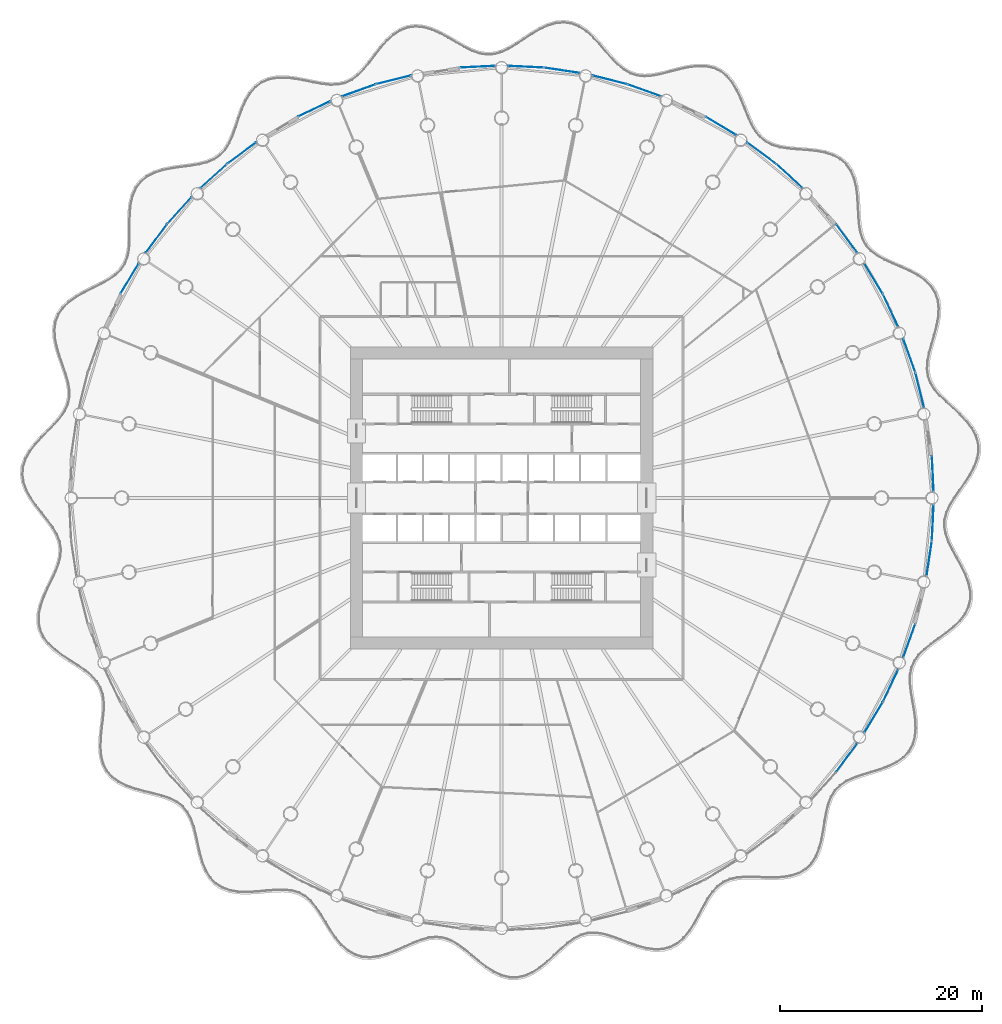
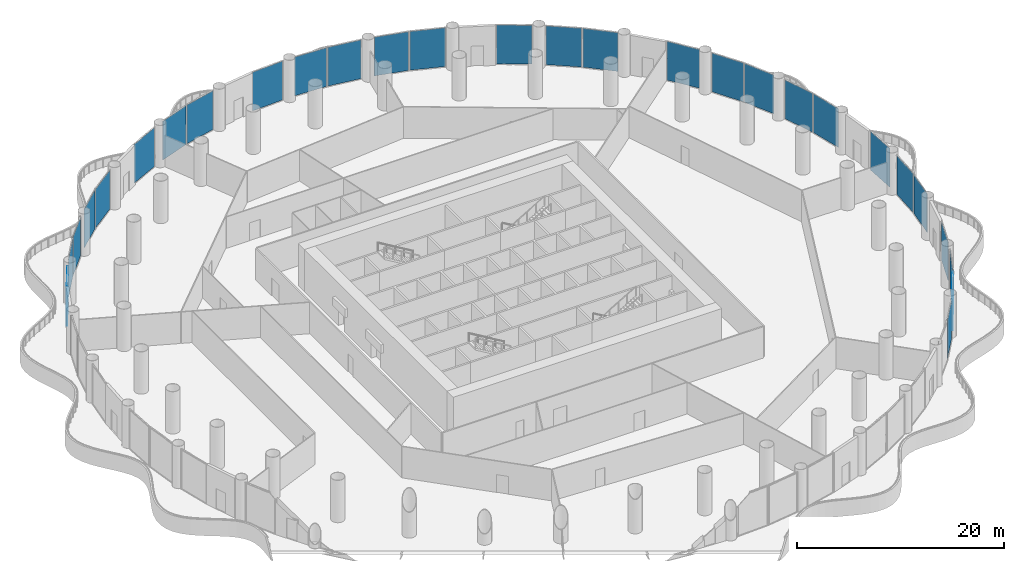
# One storey, part 21 of 35: 28 plates, 28 elements without a shape of their own.
"""IFC4 building model written with IfcOpenShell, lengths in metres."""

from ifc_helpers import new_model, si_unit, direction, frame, origin, origin_2d, place, context, subcontext, project, spatial, rectangle, extrude, material, layer, layer_set, type_object, element, aggregate, save


model = new_model("IFC4")

# Units and contexts
model_context = context("Model", 3, precision=1e-05, world=origin(), true_north=direction((0.0, 1.0)))
body_context = subcontext(model_context, "Body", "Model", "MODEL_VIEW")
ifc_project = project(units=[si_unit("LENGTHUNIT", "METRE"), si_unit("AREAUNIT", "SQUARE_METRE"), si_unit("VOLUMEUNIT", "CUBIC_METRE"), si_unit("PLANEANGLEUNIT", "RADIAN"), si_unit("MASSUNIT", "GRAM", prefix="KILO")], contexts=[model_context])

# Site, building, storey
site_placement = place(None, origin())
site = spatial("IfcSite", under=ifc_project, at=site_placement, CompositionType="ELEMENT")
building_placement = place(site_placement, origin())
building = spatial("IfcBuilding", under=site, at=building_placement, Name="Corvane Civic Tower", CompositionType="ELEMENT")
storey_placement = place(building_placement, frame((0.0, 0.0, 27.0)))
storey = spatial("IfcBuildingStorey", under=building, at=storey_placement, Name="L05", CompositionType="ELEMENT", Elevation=27.0)

# Curtain wall, plate
ifc_material_1 = material(Name="Aluminium and glass", Category="aluminium")
curtain_wall_type = type_object("IfcCurtainWallType", Name="PODIUM-CW-P-RUN", PredefinedType="NOTDEFINED", material=ifc_material_1)
curtain_wall_1_placement = place(storey_placement, origin())
curtain_wall_1 = element("IfcCurtainWall", 1, at=curtain_wall_1_placement, inside=storey, type_object=curtain_wall_type, Name="PODI run L05-drum-01A", PredefinedType="NOTDEFINED")
ifc_material_2 = material(Name="Glass tinted low-e laminated", Category="glass")
ifc_layer = layer(ifc_material_2, 0.031982421875)
ifc_layer_set = layer_set([ifc_layer], Name="Glass tinted low-e laminated")
plate_type = type_object("IfcPlateType", Name="PODIUM-CWP-PANEL-IGU32", PredefinedType="CURTAIN_PANEL", material=ifc_layer_set)
plate_1_placement = place(storey_placement, frame((2.402587890625, 42.7919921875, 0.06005859375), z_axis=(0.0, 0.0, 1.0), x_axis=(0.998796316803, -0.04905015332, 0.0)))
plate_1 = element("IfcPlate", 2, at=plate_1_placement, type_object=plate_type, Name="CW-P panel 1.1", PredefinedType="CURTAIN_PANEL", context=body_context, shape_type="SweptSolid", body=[
    extrude(rectangle(XDim=3.4599609375, YDim=0.031982421875, at=origin_2d()), origin(), (0.0, 0.0, 1.0), 4.580078125),
])
aggregate(curtain_wall_1, [plate_1])

curtain_wall_2_placement = place(storey_placement, origin())
curtain_wall_2 = element("IfcCurtainWall", 3, at=curtain_wall_2_placement, inside=storey, type_object=curtain_wall_type, Name="PODI run L05-drum-01B", PredefinedType="NOTDEFINED")
plate_2_placement = place(storey_placement, frame((5.991943359375, 42.4384765625, 0.06005859375), z_axis=(0.0, 0.0, 1.0), x_axis=(0.989178850608, -0.146714694252, 0.0)))
plate_2 = element("IfcPlate", 4, at=plate_2_placement, type_object=plate_type, Name="CW-P panel 1.1", PredefinedType="CURTAIN_PANEL", context=body_context, shape_type="SweptSolid", body=[
    extrude(rectangle(XDim=3.459716796875, YDim=0.031982421875, at=origin_2d()), origin(), (0.0, 0.0, 1.0), 4.580078125),
])
aggregate(curtain_wall_2, [plate_2])

curtain_wall_3_placement = place(storey_placement, origin())
curtain_wall_3 = element("IfcCurtainWall", 5, at=curtain_wall_3_placement, inside=storey, type_object=curtain_wall_type, Name="PODI run L05-drum-02A", PredefinedType="NOTDEFINED")
plate_3_placement = place(storey_placement, frame((10.70458984375, 41.5009765625, 0.06005859375), z_axis=(0.0, 0.0, 1.0), x_axis=(0.970024070659, -0.243008852393, 0.0)))
plate_3 = element("IfcPlate", 6, at=plate_3_placement, type_object=plate_type, Name="CW-P panel 1.1", PredefinedType="CURTAIN_PANEL", context=body_context, shape_type="SweptSolid", body=[
    extrude(rectangle(XDim=3.459716796875, YDim=0.031982421875, at=origin_2d()), origin(), (0.0, 0.0, 1.0), 4.580078125),
])
aggregate(curtain_wall_3, [plate_3])

curtain_wall_4_placement = place(storey_placement, origin())
curtain_wall_4 = element("IfcCurtainWall", 7, at=curtain_wall_4_placement, inside=storey, type_object=curtain_wall_type, Name="PODI run L05-drum-02B", PredefinedType="NOTDEFINED")
plate_4_placement = place(storey_placement, frame((14.156005859375, 40.453857421875, 0.06005859375), z_axis=(0.0, 0.0, 1.0), x_axis=(0.941533802561, -0.336918534123, 0.0)))
plate_4 = element("IfcPlate", 8, at=plate_4_placement, type_object=plate_type, Name="CW-P panel 1.1", PredefinedType="CURTAIN_PANEL", context=body_context, shape_type="SweptSolid", body=[
    extrude(rectangle(XDim=3.459716796875, YDim=0.031982421875, at=origin_2d()), origin(), (0.0, 0.0, 1.0), 4.580078125),
])
aggregate(curtain_wall_4, [plate_4])

curtain_wall_5_placement = place(storey_placement, origin())
curtain_wall_5 = element("IfcCurtainWall", 9, at=curtain_wall_5_placement, inside=storey, type_object=curtain_wall_type, Name="PODI run L05-drum-03B", PredefinedType="NOTDEFINED")
plate_5_placement = place(storey_placement, frame((21.776123046875, 36.914794921875, 0.06005859375), z_axis=(0.0, 0.0, 1.0), x_axis=(0.857719609779, -0.514117759857, 0.0)))
plate_5 = element("IfcPlate", 10, at=plate_5_placement, type_object=plate_type, Name="CW-P panel 1.1", PredefinedType="CURTAIN_PANEL", context=body_context, shape_type="SweptSolid", body=[
    extrude(rectangle(XDim=3.459716796875, YDim=0.031982421875, at=origin_2d()), origin(), (0.0, 0.0, 1.0), 4.580078125),
])
aggregate(curtain_wall_5, [plate_5])

curtain_wall_6_placement = place(storey_placement, origin())
curtain_wall_6 = element("IfcCurtainWall", 11, at=curtain_wall_6_placement, inside=storey, type_object=curtain_wall_type, Name="PODI run L05-drum-04A", PredefinedType="NOTDEFINED")
plate_6_placement = place(storey_placement, frame((25.771484375, 34.245361328125, 0.06005859375), z_axis=(0.0, 0.0, 1.0), x_axis=(0.803203229747, -0.595705104665, 0.0)))
plate_6 = element("IfcPlate", 12, at=plate_6_placement, type_object=plate_type, Name="CW-P panel 1.1", PredefinedType="CURTAIN_PANEL", context=body_context, shape_type="SweptSolid", body=[
    extrude(rectangle(XDim=3.459716796875, YDim=0.031982421875, at=origin_2d()), origin(), (0.0, 0.0, 1.0), 4.580078125),
])
aggregate(curtain_wall_6, [plate_6])

curtain_wall_7_placement = place(storey_placement, origin())
curtain_wall_7 = element("IfcCurtainWall", 13, at=curtain_wall_7_placement, inside=storey, type_object=curtain_wall_type, Name="PODI run L05-drum-04B", PredefinedType="NOTDEFINED")
plate_7_placement = place(storey_placement, frame((28.5595703125, 31.957275390625, 0.06005859375), z_axis=(0.0, 0.0, 1.0), x_axis=(0.740935261089, -0.671576457952, 0.0)))
plate_7 = element("IfcPlate", 14, at=plate_7_placement, type_object=plate_type, Name="CW-P panel 1.1", PredefinedType="CURTAIN_PANEL", context=body_context, shape_type="SweptSolid", body=[
    extrude(rectangle(XDim=3.4599609375, YDim=0.031982421875, at=origin_2d()), origin(), (0.0, 0.0, 1.0), 4.580078125),
])
aggregate(curtain_wall_7, [plate_7])

curtain_wall_8_placement = place(storey_placement, origin())
curtain_wall_8 = element("IfcCurtainWall", 15, at=curtain_wall_8_placement, inside=storey, type_object=curtain_wall_type, Name="PODI run L05-drum-05B", PredefinedType="NOTDEFINED")
plate_8_placement = place(storey_placement, frame((34.245361328125, 25.771484375, 0.06005859375), z_axis=(0.0, 0.0, 1.0), x_axis=(0.595705104665, -0.803203229747, 0.0)))
plate_8 = element("IfcPlate", 16, at=plate_8_placement, type_object=plate_type, Name="CW-P panel 1.1", PredefinedType="CURTAIN_PANEL", context=body_context, shape_type="SweptSolid", body=[
    extrude(rectangle(XDim=3.459716796875, YDim=0.031982421875, at=origin_2d()), origin(), (0.0, 0.0, 1.0), 4.580078125),
])
aggregate(curtain_wall_8, [plate_8])

curtain_wall_9_placement = place(storey_placement, origin())
curtain_wall_9 = element("IfcCurtainWall", 17, at=curtain_wall_9_placement, inside=storey, type_object=curtain_wall_type, Name="PODI run L05-drum-06A", PredefinedType="NOTDEFINED")
plate_9_placement = place(storey_placement, frame((36.914794921875, 21.776123046875, 0.06005859375), z_axis=(0.0, 0.0, 1.0), x_axis=(0.514117759857, -0.857719609779, 0.0)))
plate_9 = element("IfcPlate", 18, at=plate_9_placement, type_object=plate_type, Name="CW-P panel 1.1", PredefinedType="CURTAIN_PANEL", context=body_context, shape_type="SweptSolid", body=[
    extrude(rectangle(XDim=3.459716796875, YDim=0.031982421875, at=origin_2d()), origin(), (0.0, 0.0, 1.0), 4.580078125),
])
aggregate(curtain_wall_9, [plate_9])

curtain_wall_10_placement = place(storey_placement, origin())
curtain_wall_10 = element("IfcCurtainWall", 19, at=curtain_wall_10_placement, inside=storey, type_object=curtain_wall_type, Name="PODI run L05-drum-06B", PredefinedType="NOTDEFINED")
plate_10_placement = place(storey_placement, frame((38.614990234375, 18.595458984375, 0.06005859375), z_axis=(0.0, 0.0, 1.0), x_axis=(0.42755312852, -0.903990222454, 0.0)))
plate_10 = element("IfcPlate", 20, at=plate_10_placement, type_object=plate_type, Name="CW-P panel 1.1", PredefinedType="CURTAIN_PANEL", context=body_context, shape_type="SweptSolid", body=[
    extrude(rectangle(XDim=3.4599609375, YDim=0.031982421875, at=origin_2d()), origin(), (0.0, 0.0, 1.0), 4.580078125),
])
aggregate(curtain_wall_10, [plate_10])

curtain_wall_11_placement = place(storey_placement, origin())
curtain_wall_11 = element("IfcCurtainWall", 21, at=curtain_wall_11_placement, inside=storey, type_object=curtain_wall_type, Name="PODI run L05-drum-07A", PredefinedType="NOTDEFINED")
plate_11_placement = place(storey_placement, frame((40.453857421875, 14.156005859375, 0.06005859375), z_axis=(0.0, 0.0, 1.0), x_axis=(0.336918534123, -0.941533802561, 0.0)))
plate_11 = element("IfcPlate", 22, at=plate_11_placement, type_object=plate_type, Name="CW-P panel 1.1", PredefinedType="CURTAIN_PANEL", context=body_context, shape_type="SweptSolid", body=[
    extrude(rectangle(XDim=3.459716796875, YDim=0.031982421875, at=origin_2d()), origin(), (0.0, 0.0, 1.0), 4.580078125),
])
aggregate(curtain_wall_11, [plate_11])

curtain_wall_12_placement = place(storey_placement, origin())
curtain_wall_12 = element("IfcCurtainWall", 23, at=curtain_wall_12_placement, inside=storey, type_object=curtain_wall_type, Name="PODI run L05-drum-07B", PredefinedType="NOTDEFINED")
plate_12_placement = place(storey_placement, frame((41.5009765625, 10.70458984375, 0.06005859375), z_axis=(0.0, 0.0, 1.0), x_axis=(0.243008852393, -0.970024070659, 0.0)))
plate_12 = element("IfcPlate", 24, at=plate_12_placement, type_object=plate_type, Name="CW-P panel 1.1", PredefinedType="CURTAIN_PANEL", context=body_context, shape_type="SweptSolid", body=[
    extrude(rectangle(XDim=3.459716796875, YDim=0.031982421875, at=origin_2d()), origin(), (0.0, 0.0, 1.0), 4.580078125),
])
aggregate(curtain_wall_12, [plate_12])

curtain_wall_13_placement = place(storey_placement, origin())
curtain_wall_13 = element("IfcCurtainWall", 25, at=curtain_wall_13_placement, inside=storey, type_object=curtain_wall_type, Name="PODI run L05-drum-08B", PredefinedType="NOTDEFINED")
plate_13_placement = place(storey_placement, frame((42.7919921875, 2.402587890625, 0.06005859375), z_axis=(0.0, 0.0, 1.0), x_axis=(0.04905015332, -0.998796316803, 0.0)))
plate_13 = element("IfcPlate", 26, at=plate_13_placement, type_object=plate_type, Name="CW-P panel 1.1", PredefinedType="CURTAIN_PANEL", context=body_context, shape_type="SweptSolid", body=[
    extrude(rectangle(XDim=3.4599609375, YDim=0.031982421875, at=origin_2d()), origin(), (0.0, 0.0, 1.0), 4.580078125),
])
aggregate(curtain_wall_13, [plate_13])

curtain_wall_14_placement = place(storey_placement, origin())
curtain_wall_14 = element("IfcCurtainWall", 27, at=curtain_wall_14_placement, inside=storey, type_object=curtain_wall_type, Name="PODI run L05-drum-09A", PredefinedType="NOTDEFINED")
plate_14_placement = place(storey_placement, frame((42.7919921875, -2.402587890625, 0.06005859375), z_axis=(0.0, 0.0, 1.0), x_axis=(-0.04905015332, -0.998796316803, 0.0)))
plate_14 = element("IfcPlate", 28, at=plate_14_placement, type_object=plate_type, Name="CW-P panel 1.1", PredefinedType="CURTAIN_PANEL", context=body_context, shape_type="SweptSolid", body=[
    extrude(rectangle(XDim=3.4599609375, YDim=0.031982421875, at=origin_2d()), origin(), (0.0, 0.0, 1.0), 4.580078125),
])
aggregate(curtain_wall_14, [plate_14])

curtain_wall_15_placement = place(storey_placement, origin())
curtain_wall_15 = element("IfcCurtainWall", 29, at=curtain_wall_15_placement, inside=storey, type_object=curtain_wall_type, Name="PODI run L05-drum-09B", PredefinedType="NOTDEFINED")
plate_15_placement = place(storey_placement, frame((42.4384765625, -5.991943359375, 0.06005859375), z_axis=(0.0, 0.0, 1.0), x_axis=(-0.146714694252, -0.989178850608, 0.0)))
plate_15 = element("IfcPlate", 30, at=plate_15_placement, type_object=plate_type, Name="CW-P panel 1.1", PredefinedType="CURTAIN_PANEL", context=body_context, shape_type="SweptSolid", body=[
    extrude(rectangle(XDim=3.459716796875, YDim=0.031982421875, at=origin_2d()), origin(), (0.0, 0.0, 1.0), 4.580078125),
])
aggregate(curtain_wall_15, [plate_15])

curtain_wall_16_placement = place(storey_placement, origin())
curtain_wall_16 = element("IfcCurtainWall", 31, at=curtain_wall_16_placement, inside=storey, type_object=curtain_wall_type, Name="PODI run L05-drum-10B", PredefinedType="NOTDEFINED")
plate_16_placement = place(storey_placement, frame((40.453857421875, -14.156005859375, 0.06005859375), z_axis=(0.0, 0.0, 1.0), x_axis=(-0.336918534123, -0.941533802561, 0.0)))
plate_16 = element("IfcPlate", 32, at=plate_16_placement, type_object=plate_type, Name="CW-P panel 1.1", PredefinedType="CURTAIN_PANEL", context=body_context, shape_type="SweptSolid", body=[
    extrude(rectangle(XDim=3.459716796875, YDim=0.031982421875, at=origin_2d()), origin(), (0.0, 0.0, 1.0), 4.580078125),
])
aggregate(curtain_wall_16, [plate_16])

curtain_wall_17_placement = place(storey_placement, origin())
curtain_wall_17 = element("IfcCurtainWall", 33, at=curtain_wall_17_placement, inside=storey, type_object=curtain_wall_type, Name="PODI run L05-drum-11A", PredefinedType="NOTDEFINED")
plate_17_placement = place(storey_placement, frame((38.614990234375, -18.595458984375, 0.06005859375), z_axis=(0.0, 0.0, 1.0), x_axis=(-0.42755312852, -0.903990222454, 0.0)))
plate_17 = element("IfcPlate", 34, at=plate_17_placement, type_object=plate_type, Name="CW-P panel 1.1", PredefinedType="CURTAIN_PANEL", context=body_context, shape_type="SweptSolid", body=[
    extrude(rectangle(XDim=3.4599609375, YDim=0.031982421875, at=origin_2d()), origin(), (0.0, 0.0, 1.0), 4.580078125),
])
aggregate(curtain_wall_17, [plate_17])

curtain_wall_18_placement = place(storey_placement, origin())
curtain_wall_18 = element("IfcCurtainWall", 35, at=curtain_wall_18_placement, inside=storey, type_object=curtain_wall_type, Name="PODI run L05-drum-11B", PredefinedType="NOTDEFINED")
plate_18_placement = place(storey_placement, frame((36.914794921875, -21.776123046875, 0.06005859375), z_axis=(0.0, 0.0, 1.0), x_axis=(-0.514117759857, -0.857719609779, 0.0)))
plate_18 = element("IfcPlate", 36, at=plate_18_placement, type_object=plate_type, Name="CW-P panel 1.1", PredefinedType="CURTAIN_PANEL", context=body_context, shape_type="SweptSolid", body=[
    extrude(rectangle(XDim=3.459716796875, YDim=0.031982421875, at=origin_2d()), origin(), (0.0, 0.0, 1.0), 4.580078125),
])
aggregate(curtain_wall_18, [plate_18])

curtain_wall_19_placement = place(storey_placement, origin())
curtain_wall_19 = element("IfcCurtainWall", 37, at=curtain_wall_19_placement, inside=storey, type_object=curtain_wall_type, Name="PODI run L05-drum-12A", PredefinedType="NOTDEFINED")
plate_19_placement = place(storey_placement, frame((34.245361328125, -25.771484375, 0.06005859375), z_axis=(0.0, 0.0, 1.0), x_axis=(-0.595705104665, -0.803203229747, 0.0)))
plate_19 = element("IfcPlate", 38, at=plate_19_placement, type_object=plate_type, Name="CW-P panel 1.1", PredefinedType="CURTAIN_PANEL", context=body_context, shape_type="SweptSolid", body=[
    extrude(rectangle(XDim=3.459716796875, YDim=0.031982421875, at=origin_2d()), origin(), (0.0, 0.0, 1.0), 4.580078125),
])
aggregate(curtain_wall_19, [plate_19])

curtain_wall_20_placement = place(storey_placement, origin())
curtain_wall_20 = element("IfcCurtainWall", 39, at=curtain_wall_20_placement, inside=storey, type_object=curtain_wall_type, Name="PODI run L05-drum-27B", PredefinedType="NOTDEFINED")
plate_20_placement = place(storey_placement, frame((-36.914794921875, 21.776123046875, 0.06005859375), z_axis=(0.0, 0.0, 1.0), x_axis=(0.514117759857, 0.857719609779, 0.0)))
plate_20 = element("IfcPlate", 40, at=plate_20_placement, type_object=plate_type, Name="CW-P panel 1.1", PredefinedType="CURTAIN_PANEL", context=body_context, shape_type="SweptSolid", body=[
    extrude(rectangle(XDim=3.459716796875, YDim=0.031982421875, at=origin_2d()), origin(), (0.0, 0.0, 1.0), 4.580078125),
])
aggregate(curtain_wall_20, [plate_20])

curtain_wall_21_placement = place(storey_placement, origin())
curtain_wall_21 = element("IfcCurtainWall", 41, at=curtain_wall_21_placement, inside=storey, type_object=curtain_wall_type, Name="PODI run L05-drum-28A", PredefinedType="NOTDEFINED")
plate_21_placement = place(storey_placement, frame((-34.245361328125, 25.771484375, 0.06005859375), z_axis=(0.0, 0.0, 1.0), x_axis=(0.595705104665, 0.803203229747, 0.0)))
plate_21 = element("IfcPlate", 42, at=plate_21_placement, type_object=plate_type, Name="CW-P panel 1.1", PredefinedType="CURTAIN_PANEL", context=body_context, shape_type="SweptSolid", body=[
    extrude(rectangle(XDim=3.459716796875, YDim=0.031982421875, at=origin_2d()), origin(), (0.0, 0.0, 1.0), 4.580078125),
])
aggregate(curtain_wall_21, [plate_21])

curtain_wall_22_placement = place(storey_placement, origin())
curtain_wall_22 = element("IfcCurtainWall", 43, at=curtain_wall_22_placement, inside=storey, type_object=curtain_wall_type, Name="PODI run L05-drum-28B", PredefinedType="NOTDEFINED")
plate_22_placement = place(storey_placement, frame((-31.957275390625, 28.5595703125, 0.06005859375), z_axis=(0.0, 0.0, 1.0), x_axis=(0.671576457952, 0.740935261089, 0.0)))
plate_22 = element("IfcPlate", 44, at=plate_22_placement, type_object=plate_type, Name="CW-P panel 1.1", PredefinedType="CURTAIN_PANEL", context=body_context, shape_type="SweptSolid", body=[
    extrude(rectangle(XDim=3.4599609375, YDim=0.031982421875, at=origin_2d()), origin(), (0.0, 0.0, 1.0), 4.580078125),
])
aggregate(curtain_wall_22, [plate_22])

curtain_wall_23_placement = place(storey_placement, origin())
curtain_wall_23 = element("IfcCurtainWall", 45, at=curtain_wall_23_placement, inside=storey, type_object=curtain_wall_type, Name="PODI run L05-drum-29A", PredefinedType="NOTDEFINED")
plate_23_placement = place(storey_placement, frame((-28.5595703125, 31.957275390625, 0.06005859375), z_axis=(0.0, 0.0, 1.0), x_axis=(0.740935261089, 0.671576457952, 0.0)))
plate_23 = element("IfcPlate", 46, at=plate_23_placement, type_object=plate_type, Name="CW-P panel 1.1", PredefinedType="CURTAIN_PANEL", context=body_context, shape_type="SweptSolid", body=[
    extrude(rectangle(XDim=3.4599609375, YDim=0.031982421875, at=origin_2d()), origin(), (0.0, 0.0, 1.0), 4.580078125),
])
aggregate(curtain_wall_23, [plate_23])

curtain_wall_24_placement = place(storey_placement, origin())
curtain_wall_24 = element("IfcCurtainWall", 47, at=curtain_wall_24_placement, inside=storey, type_object=curtain_wall_type, Name="PODI run L05-drum-29B", PredefinedType="NOTDEFINED")
plate_24_placement = place(storey_placement, frame((-25.771484375, 34.245361328125, 0.06005859375), z_axis=(0.0, 0.0, 1.0), x_axis=(0.803203229747, 0.595705104665, 0.0)))
plate_24 = element("IfcPlate", 48, at=plate_24_placement, type_object=plate_type, Name="CW-P panel 1.1", PredefinedType="CURTAIN_PANEL", context=body_context, shape_type="SweptSolid", body=[
    extrude(rectangle(XDim=3.459716796875, YDim=0.031982421875, at=origin_2d()), origin(), (0.0, 0.0, 1.0), 4.580078125),
])
aggregate(curtain_wall_24, [plate_24])

curtain_wall_25_placement = place(storey_placement, origin())
curtain_wall_25 = element("IfcCurtainWall", 49, at=curtain_wall_25_placement, inside=storey, type_object=curtain_wall_type, Name="PODI run L05-drum-30B", PredefinedType="NOTDEFINED")
plate_25_placement = place(storey_placement, frame((-18.595458984375, 38.614990234375, 0.06005859375), z_axis=(0.0, 0.0, 1.0), x_axis=(0.903990222454, 0.42755312852, 0.0)))
plate_25 = element("IfcPlate", 50, at=plate_25_placement, type_object=plate_type, Name="CW-P panel 1.1", PredefinedType="CURTAIN_PANEL", context=body_context, shape_type="SweptSolid", body=[
    extrude(rectangle(XDim=3.4599609375, YDim=0.031982421875, at=origin_2d()), origin(), (0.0, 0.0, 1.0), 4.580078125),
])
aggregate(curtain_wall_25, [plate_25])

curtain_wall_26_placement = place(storey_placement, origin())
curtain_wall_26 = element("IfcCurtainWall", 51, at=curtain_wall_26_placement, inside=storey, type_object=curtain_wall_type, Name="PODI run L05-drum-31A", PredefinedType="NOTDEFINED")
plate_26_placement = place(storey_placement, frame((-14.156005859375, 40.453857421875, 0.06005859375), z_axis=(0.0, 0.0, 1.0), x_axis=(0.941533802561, 0.336918534123, 0.0)))
plate_26 = element("IfcPlate", 52, at=plate_26_placement, type_object=plate_type, Name="CW-P panel 1.1", PredefinedType="CURTAIN_PANEL", context=body_context, shape_type="SweptSolid", body=[
    extrude(rectangle(XDim=3.459716796875, YDim=0.031982421875, at=origin_2d()), origin(), (0.0, 0.0, 1.0), 4.580078125),
])
aggregate(curtain_wall_26, [plate_26])

curtain_wall_27_placement = place(storey_placement, origin())
curtain_wall_27 = element("IfcCurtainWall", 53, at=curtain_wall_27_placement, inside=storey, type_object=curtain_wall_type, Name="PODI run L05-drum-31B", PredefinedType="NOTDEFINED")
plate_27_placement = place(storey_placement, frame((-10.70458984375, 41.5009765625, 0.06005859375), z_axis=(0.0, 0.0, 1.0), x_axis=(0.970024070659, 0.243008852393, 0.0)))
plate_27 = element("IfcPlate", 54, at=plate_27_placement, type_object=plate_type, Name="CW-P panel 1.1", PredefinedType="CURTAIN_PANEL", context=body_context, shape_type="SweptSolid", body=[
    extrude(rectangle(XDim=3.459716796875, YDim=0.031982421875, at=origin_2d()), origin(), (0.0, 0.0, 1.0), 4.580078125),
])
aggregate(curtain_wall_27, [plate_27])

curtain_wall_28_placement = place(storey_placement, origin())
curtain_wall_28 = element("IfcCurtainWall", 55, at=curtain_wall_28_placement, inside=storey, type_object=curtain_wall_type, Name="PODI run L05-drum-32B", PredefinedType="NOTDEFINED")
plate_28_placement = place(storey_placement, frame((-2.402587890625, 42.7919921875, 0.06005859375), z_axis=(0.0, 0.0, 1.0), x_axis=(0.998796316803, 0.04905015332, 0.0)))
plate_28 = element("IfcPlate", 56, at=plate_28_placement, type_object=plate_type, Name="CW-P panel 1.1", PredefinedType="CURTAIN_PANEL", context=body_context, shape_type="SweptSolid", body=[
    extrude(rectangle(XDim=3.4599609375, YDim=0.031982421875, at=origin_2d()), origin(), (0.0, 0.0, 1.0), 4.580078125),
])
aggregate(curtain_wall_28, [plate_28])

save(model, "model.ifc")
